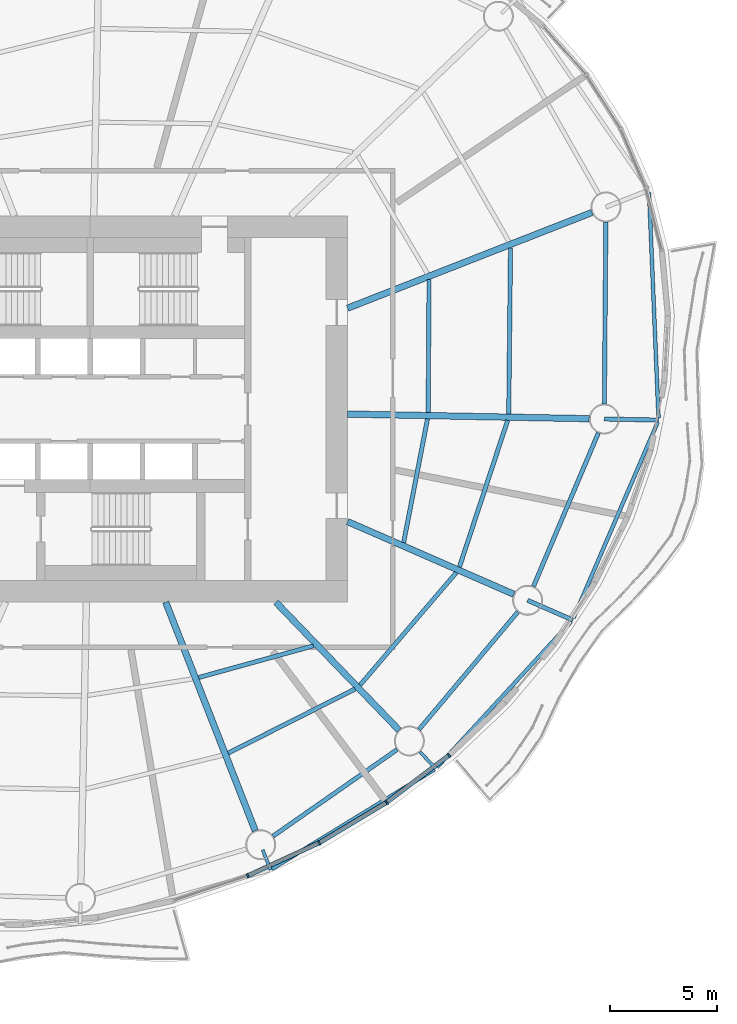
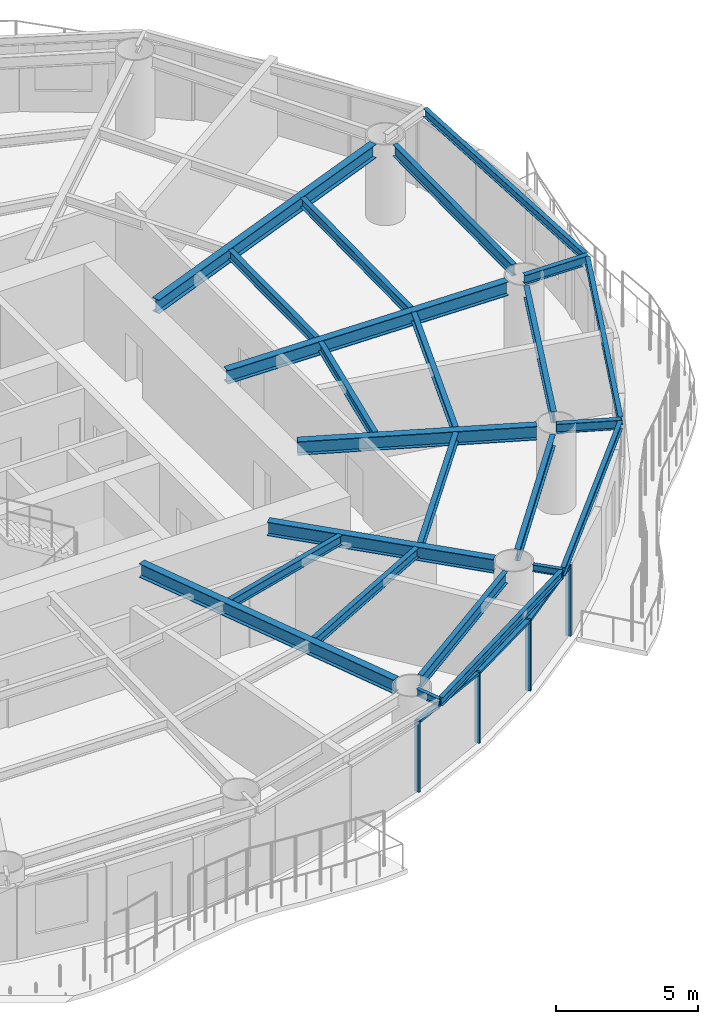
# One storey, part 4 of 16: 24 beams, 7 members, 3 elements without a shape of their own.
"""IFC4 building model written with IfcOpenShell, lengths in metres."""

from ifc_helpers import new_model, si_unit, direction, frame, origin, origin_2d, place, context, subcontext, project, spatial, rectangle, i_section, extrude, material, material_profile, profile_set, type_object, element, aggregate, save


model = new_model("IFC4")

# Units and contexts
model_context = context("Model", 3, precision=1e-05, world=origin(), true_north=direction((0.0, 1.0)))
body_context = subcontext(model_context, "Body", "Model", "MODEL_VIEW")
ifc_project = project(units=[si_unit("LENGTHUNIT", "METRE"), si_unit("AREAUNIT", "SQUARE_METRE"), si_unit("VOLUMEUNIT", "CUBIC_METRE"), si_unit("PLANEANGLEUNIT", "RADIAN"), si_unit("MASSUNIT", "GRAM", prefix="KILO")], contexts=[model_context])

# Site, building, storey
site_placement = place(None, origin())
site = spatial("IfcSite", under=ifc_project, at=site_placement, CompositionType="ELEMENT")
building_placement = place(site_placement, origin())
building = spatial("IfcBuilding", under=site, at=building_placement, Name="Vermilion Reach Broadcast Tower", CompositionType="ELEMENT")
storey_placement = place(building_placement, frame((0.0, 0.0, 147.0)))
storey = spatial("IfcBuildingStorey", under=building, at=storey_placement, Name="L34", CompositionType="ELEMENT", Elevation=147.0)

# Beams
ifc_material_1 = material(Name="Steel S355J2", Category="steel")
ifc_material_profile_1 = material_profile(ifc_material_1, i_section(OverallWidth=0.175048828125, OverallDepth=0.35009765625, WebThickness=0.007080078125, FlangeThickness=0.010986328125, at=origin_2d()), Name="S355J2 HN 350x175x7x11")
ifc_profile_set_1 = profile_set([ifc_material_profile_1], Name="Steel S355J2")
beam_type_1 = type_object("IfcBeamType", Name="EB3 HN 350x175x7x11", PredefinedType="BEAM", material=ifc_profile_set_1)
beam_1_placement = place(storey_placement, frame((2.47509765625, -21.431640625, 3.27490234375), z_axis=(0.852668400848, 0.522452484151, 0.0), x_axis=(-0.522452484151, 0.852668400848, 0.0)))
element("IfcBeam", 1, at=beam_1_placement, inside=storey, type_object=beam_type_1, Name="Edge beam EB3-12", PredefinedType="BEAM", context=body_context, shape_type="SweptSolid", body=[
    extrude(i_section(OverallWidth=0.175048828125, OverallDepth=0.35009765625, WebThickness=0.007080078125, FlangeThickness=0.010986328125, at=origin_2d()), origin(), (0.0, 0.0, 1.0), 8.88232421875),
])
beam_2_placement = place(storey_placement, frame((10.1650390625, -16.69580078125, 3.27490234375), z_axis=(0.677183765071, 0.73581393594, 0.0), x_axis=(-0.73581393594, 0.677183765071, 0.0)))
element("IfcBeam", 2, at=beam_2_placement, inside=storey, type_object=beam_type_1, Name="Edge beam EB3-13", PredefinedType="BEAM", context=body_context, shape_type="SweptSolid", body=[
    extrude(i_section(OverallWidth=0.175048828125, OverallDepth=0.35009765625, WebThickness=0.007080078125, FlangeThickness=0.010986328125, at=origin_2d()), origin(), (0.0, 0.0, 1.0), 9.2275390625),
])
beam_3_placement = place(storey_placement, frame((16.52490234375, -9.736328125, 3.27490234375), z_axis=(0.395161967212, 0.918611462844, 0.0), x_axis=(-0.918611462844, 0.395161967212, 0.0)))
element("IfcBeam", 3, at=beam_3_placement, inside=storey, type_object=beam_type_1, Name="Edge beam EB3-14", PredefinedType="BEAM", context=body_context, shape_type="SweptSolid", body=[
    extrude(i_section(OverallWidth=0.175048828125, OverallDepth=0.35009765625, WebThickness=0.007080078125, FlangeThickness=0.010986328125, at=origin_2d()), origin(), (0.0, 0.0, 1.0), 9.93212890625),
])
beam_4_placement = place(storey_placement, frame((20.48828125, -0.4130859375, 3.27490234375), z_axis=(-0.041922129809, 0.999120881091, 0.0), x_axis=(-0.999120881091, -0.041922129809, 0.0)))
element("IfcBeam", 4, at=beam_4_placement, inside=storey, type_object=beam_type_1, Name="Edge beam EB3-15", PredefinedType="BEAM", context=body_context, shape_type="SweptSolid", body=[
    extrude(i_section(OverallWidth=0.175048828125, OverallDepth=0.35009765625, WebThickness=0.007080078125, FlangeThickness=0.010986328125, at=origin_2d()), origin(), (0.0, 0.0, 1.0), 10.517578125),
])
ifc_material_2 = material(Name="Steel S355J2", Category="steel")
ifc_material_profile_2 = material_profile(ifc_material_2, i_section(OverallWidth=0.300048828125, OverallDepth=0.587890625, WebThickness=0.011962890625, FlangeThickness=0.02001953125, at=origin_2d()), Name="S355J2 HM 588x300x12x20")
ifc_profile_set_2 = profile_set([ifc_material_profile_2], Name="Steel S355J2")
beam_type_2 = type_object("IfcBeamType", Name="G3 HM 588x300x12x20", PredefinedType="BEAM", material=ifc_profile_set_2)
beam_5_placement = place(storey_placement, frame((-2.474853515625, -9.0, 3.156005859375), z_axis=(0.364715649973, -0.931118947646, 0.0), x_axis=(0.931118947646, 0.364715649973, 0.0)))
element("IfcBeam", 5, at=beam_5_placement, inside=storey, type_object=beam_type_2, Name="Girder G3-12", PredefinedType="BEAM", context=body_context, shape_type="SweptSolid", body=[
    extrude(i_section(OverallWidth=0.300048828125, OverallDepth=0.587890625, WebThickness=0.011962890625, FlangeThickness=0.02001953125, at=origin_2d()), origin(), (0.0, 0.0, 1.0), 11.436767578125),
])
beam_6_placement = place(storey_placement, frame((2.657958984375, -9.0, 3.156005859375), z_axis=(0.693282657492, -0.72066577331, 0.0), x_axis=(0.72066577331, 0.693282657492, 0.0)))
element("IfcBeam", 6, at=beam_6_placement, inside=storey, type_object=beam_type_2, Name="Girder G3-13", PredefinedType="BEAM", context=body_context, shape_type="SweptSolid", body=[
    extrude(i_section(OverallWidth=0.300048828125, OverallDepth=0.587890625, WebThickness=0.011962890625, FlangeThickness=0.02001953125, at=origin_2d()), origin(), (0.0, 0.0, 1.0), 8.273681640625),
])
beam_7_placement = place(storey_placement, frame((6.0, -5.2451171875, 3.156005859375), z_axis=(0.916287847036, -0.400520388213, 0.0), x_axis=(0.400520388213, 0.916287847036, 0.0)))
element("IfcBeam", 7, at=beam_7_placement, inside=storey, type_object=beam_type_2, Name="Girder G3-14", PredefinedType="BEAM", context=body_context, shape_type="SweptSolid", body=[
    extrude(i_section(OverallWidth=0.300048828125, OverallDepth=0.587890625, WebThickness=0.011962890625, FlangeThickness=0.02001953125, at=origin_2d()), origin(), (0.0, 0.0, 1.0), 8.45458984375),
])
beam_8_placement = place(storey_placement, frame((6.0, -0.232421875, 3.156005859375), z_axis=(0.999812170888, -0.019380994401, 0.0), x_axis=(0.019380994401, 0.999812170888, 0.0)))
element("IfcBeam", 8, at=beam_8_placement, inside=storey, type_object=beam_type_2, Name="Girder G3-15", PredefinedType="BEAM", context=body_context, shape_type="SweptSolid", body=[
    extrude(i_section(OverallWidth=0.300048828125, OverallDepth=0.587890625, WebThickness=0.011962890625, FlangeThickness=0.02001953125, at=origin_2d()), origin(), (0.0, 0.0, 1.0), 11.26171875),
])
beam_9_placement = place(storey_placement, frame((6.0, 4.700439453125, 3.156005859375), z_axis=(0.931124635714, 0.364701128004, 0.0), x_axis=(-0.364701128004, 0.931124635714, 0.0)))
element("IfcBeam", 9, at=beam_9_placement, inside=storey, type_object=beam_type_2, Name="Girder G3-16", PredefinedType="BEAM", context=body_context, shape_type="SweptSolid", body=[
    extrude(i_section(OverallWidth=0.300048828125, OverallDepth=0.587890625, WebThickness=0.011962890625, FlangeThickness=0.02001953125, at=origin_2d()), origin(), (0.0, 0.0, 1.0), 12.231201171875),
])
ifc_material_3 = material(Name="Steel S355J2", Category="steel")
ifc_material_profile_3 = material_profile(ifc_material_3, i_section(OverallWidth=0.199951171875, OverallDepth=0.39990234375, WebThickness=0.008056640625, FlangeThickness=0.012939453125, at=origin_2d()), Name="S355J2 HN 400x200x8x13")
ifc_profile_set_3 = profile_set([ifc_material_profile_3], Name="Steel S355J2")
beam_type_3 = type_object("IfcBeamType", Name="GC3 HN 400x200x8x13", PredefinedType="BEAM", material=ifc_profile_set_3)
beam_10_placement = place(storey_placement, frame((14.38818359375, -8.91162109375, 3.25), z_axis=(0.916279698293, -0.400539029929, 0.0), x_axis=(0.400539029929, 0.916279698293, 0.0)))
element("IfcBeam", 10, at=beam_10_placement, inside=storey, type_object=beam_type_3, Name="Cantilever girder GC3-14", PredefinedType="BEAM", context=body_context, shape_type="SweptSolid", body=[
    extrude(i_section(OverallWidth=0.199951171875, OverallDepth=0.39990234375, WebThickness=0.008056640625, FlangeThickness=0.012939453125, at=origin_2d()), origin(), (0.0, 0.0, 1.0), 2.288818359375),
])
beam_11_placement = place(storey_placement, frame((17.95947265625, -0.464111328125, 3.25), z_axis=(0.999810515766, -0.019466190283, 0.0), x_axis=(0.019466190283, 0.999810515766, 0.0)))
element("IfcBeam", 11, at=beam_11_placement, inside=storey, type_object=beam_type_3, Name="Cantilever girder GC3-15", PredefinedType="BEAM", context=body_context, shape_type="SweptSolid", body=[
    extrude(i_section(OverallWidth=0.199951171875, OverallDepth=0.39990234375, WebThickness=0.008056640625, FlangeThickness=0.012939453125, at=origin_2d()), origin(), (0.0, 0.0, 1.0), 2.533447265625),
])
ifc_material_4 = material(Name="Steel S355J2", Category="steel")
ifc_material_profile_4 = material_profile(ifc_material_4, i_section(OverallWidth=0.14990234375, OverallDepth=0.300048828125, WebThickness=0.006591796875, FlangeThickness=0.009033203125, at=origin_2d()), Name="S355J2 HN 300x150x6.5x9")
ifc_profile_set_4 = profile_set([ifc_material_profile_4], Name="Steel S355J2")
beam_type_4 = type_object("IfcBeamType", Name="GS3 HN 300x150x6.5x9", PredefinedType="BEAM", material=ifc_profile_set_4)
beam_12_placement = place(storey_placement, frame((2.045654296875, -20.540283203125, 3.300048828125), z_axis=(0.364519020104, -0.931195942851, 0.0), x_axis=(0.931195942851, 0.364519020104, 0.0)))
element("IfcBeam", 12, at=beam_12_placement, inside=storey, type_object=beam_type_4, Name="Cantilever stub GS3-12", PredefinedType="BEAM", context=body_context, shape_type="SweptSolid", body=[
    extrude(i_section(OverallWidth=0.14990234375, OverallDepth=0.300048828125, WebThickness=0.006591796875, FlangeThickness=0.009033203125, at=origin_2d()), origin(), (0.0, 0.0, 1.0), 1.0),
])
beam_13_placement = place(storey_placement, frame((9.364501953125, -15.9716796875, 3.300048828125), z_axis=(0.693316229254, -0.720633475668, 0.0), x_axis=(0.720633475668, 0.693316229254, 0.0)))
element("IfcBeam", 13, at=beam_13_placement, inside=storey, type_object=beam_type_4, Name="Cantilever stub GS3-13", PredefinedType="BEAM", context=body_context, shape_type="SweptSolid", body=[
    extrude(i_section(OverallWidth=0.14990234375, OverallDepth=0.300048828125, WebThickness=0.006591796875, FlangeThickness=0.009033203125, at=origin_2d()), origin(), (0.0, 0.0, 1.0), 1.081298828125),
])
ifc_material_5 = material(Name="Steel S355J2", Category="steel")
ifc_material_profile_5 = material_profile(ifc_material_5, i_section(OverallWidth=0.199951171875, OverallDepth=0.5, WebThickness=0.010009765625, FlangeThickness=0.01611328125, at=origin_2d()), Name="S355J2 HN 500x200x10x16")
ifc_profile_set_5 = profile_set([ifc_material_profile_5], Name="Steel S355J2")
beam_type_5 = type_object("IfcBeamType", Name="RB3 HN 500x200x10x16", PredefinedType="BEAM", material=ifc_profile_set_5)
beam_14_placement = place(storey_placement, frame((2.525634765625, -19.900146484375, 3.199951171875), z_axis=(0.820111453349, 0.572203813415, 0.0), x_axis=(-0.572203813415, 0.820111453349, 0.0)))
element("IfcBeam", 14, at=beam_14_placement, inside=storey, type_object=beam_type_5, Name="Ring beam RB3-12", PredefinedType="BEAM", context=body_context, shape_type="SweptSolid", body=[
    extrude(i_section(OverallWidth=0.199951171875, OverallDepth=0.5, WebThickness=0.010009765625, FlangeThickness=0.01611328125, at=origin_2d()), origin(), (0.0, 0.0, 1.0), 7.04736328125),
])
beam_15_placement = place(storey_placement, frame((9.32958984375, -14.931396484375, 3.199951171875), z_axis=(0.643350337931, 0.765571905626, 0.0), x_axis=(-0.765571905626, 0.643350337931, 0.0)))
element("IfcBeam", 15, at=beam_15_placement, inside=storey, type_object=beam_type_5, Name="Ring beam RB3-13", PredefinedType="BEAM", context=body_context, shape_type="SweptSolid", body=[
    extrude(i_section(OverallWidth=0.199951171875, OverallDepth=0.5, WebThickness=0.010009765625, FlangeThickness=0.01611328125, at=origin_2d()), origin(), (0.0, 0.0, 1.0), 7.1630859375),
])
beam_16_placement = place(storey_placement, frame((14.660888671875, -8.266845703125, 3.199951171875), z_axis=(0.389368386196, 0.921082113512, 0.0), x_axis=(-0.921082113512, 0.389368386196, 0.0)))
element("IfcBeam", 16, at=beam_16_placement, inside=storey, type_object=beam_type_5, Name="Ring beam RB3-14", PredefinedType="BEAM", context=body_context, shape_type="SweptSolid", body=[
    extrude(i_section(OverallWidth=0.199951171875, OverallDepth=0.5, WebThickness=0.010009765625, FlangeThickness=0.01611328125, at=origin_2d()), origin(), (0.0, 0.0, 1.0), 7.771240234375),
])
beam_17_placement = place(storey_placement, frame((17.965087890625, 0.23583984375, 3.199951171875), z_axis=(0.008204232036, 0.999966344722, 0.0), x_axis=(-0.999966344722, 0.008204232036, 0.0)))
element("IfcBeam", 17, at=beam_17_placement, inside=storey, type_object=beam_type_5, Name="Ring beam RB3-15", PredefinedType="BEAM", context=body_context, shape_type="SweptSolid", body=[
    extrude(i_section(OverallWidth=0.199951171875, OverallDepth=0.5, WebThickness=0.010009765625, FlangeThickness=0.01611328125, at=origin_2d()), origin(), (0.0, 0.0, 1.0), 8.48095703125),
])
ifc_material_6 = material(Name="Steel S355J2", Category="steel")
ifc_material_profile_6 = material_profile(ifc_material_6, i_section(OverallWidth=0.199951171875, OverallDepth=0.39990234375, WebThickness=0.008056640625, FlangeThickness=0.012939453125, at=origin_2d()), Name="S355J2 HN 400x200x8x13")
ifc_profile_set_6 = profile_set([ifc_material_profile_6], Name="Steel S355J2")
beam_type_6 = type_object("IfcBeamType", Name="SB3 HN 400x200x8x13", PredefinedType="BEAM", material=ifc_profile_set_6)
beam_18_placement = place(storey_placement, frame((-0.93896484375, -12.509521484375, 3.25), z_axis=(0.963889790258, 0.266301468708, 0.0), x_axis=(-0.266301468708, 0.963889790258, 0.0)))
element("IfcBeam", 18, at=beam_18_placement, inside=storey, type_object=beam_type_6, Name="Secondary beam SB3-12-1", PredefinedType="BEAM", context=body_context, shape_type="SweptSolid", body=[
    extrude(i_section(OverallWidth=0.199951171875, OverallDepth=0.39990234375, WebThickness=0.008056640625, FlangeThickness=0.012939453125, at=origin_2d()), origin(), (0.0, 0.0, 1.0), 5.544677734375),
])
beam_19_placement = place(storey_placement, frame((0.4404296875, -16.03125, 3.25), z_axis=(0.892320561657, 0.451402276516, 0.0), x_axis=(-0.451402276516, 0.892320561657, 0.0)))
element("IfcBeam", 19, at=beam_19_placement, inside=storey, type_object=beam_type_6, Name="Secondary beam SB3-12-2", PredefinedType="BEAM", context=body_context, shape_type="SweptSolid", body=[
    extrude(i_section(OverallWidth=0.199951171875, OverallDepth=0.39990234375, WebThickness=0.008056640625, FlangeThickness=0.012939453125, at=origin_2d()), origin(), (0.0, 0.0, 1.0), 6.613525390625),
])
beam_20_placement = place(storey_placement, frame((6.579833984375, -12.860595703125, 3.25), z_axis=(0.650167134505, 0.759791219487, 0.0), x_axis=(-0.759791219487, 0.650167134505, 0.0)))
element("IfcBeam", 20, at=beam_20_placement, inside=storey, type_object=beam_type_6, Name="Secondary beam SB3-13-2", PredefinedType="BEAM", context=body_context, shape_type="SweptSolid", body=[
    extrude(i_section(OverallWidth=0.199951171875, OverallDepth=0.39990234375, WebThickness=0.008056640625, FlangeThickness=0.012939453125, at=origin_2d()), origin(), (0.0, 0.0, 1.0), 6.89501953125),
])
beam_21_placement = place(storey_placement, frame((8.611328125, -6.222900390625, 3.25), z_axis=(0.189462365782, 0.981887983404, 0.0), x_axis=(-0.981887983404, 0.189462365782, 0.0)))
element("IfcBeam", 21, at=beam_21_placement, inside=storey, type_object=beam_type_6, Name="Secondary beam SB3-14-1", PredefinedType="BEAM", context=body_context, shape_type="SweptSolid", body=[
    extrude(i_section(OverallWidth=0.199951171875, OverallDepth=0.39990234375, WebThickness=0.008056640625, FlangeThickness=0.012939453125, at=origin_2d()), origin(), (0.0, 0.0, 1.0), 5.874755859375),
])
beam_22_placement = place(storey_placement, frame((11.211669921875, -7.359375, 3.25), z_axis=(0.312243016281, 0.950002262515, 0.0), x_axis=(-0.950002262515, 0.312243016281, 0.0)))
element("IfcBeam", 22, at=beam_22_placement, inside=storey, type_object=beam_type_6, Name="Secondary beam SB3-14-2", PredefinedType="BEAM", context=body_context, shape_type="SweptSolid", body=[
    extrude(i_section(OverallWidth=0.199951171875, OverallDepth=0.39990234375, WebThickness=0.008056640625, FlangeThickness=0.012939453125, at=origin_2d()), origin(), (0.0, 0.0, 1.0), 7.19189453125),
])
beam_23_placement = place(storey_placement, frame((9.754150390625, -0.1552734375, 3.25), z_axis=(0.006635449147, 0.999977985165, 0.0), x_axis=(-0.999977985165, 0.006635449147, 0.0)))
element("IfcBeam", 23, at=beam_23_placement, inside=storey, type_object=beam_type_6, Name="Secondary beam SB3-15-1", PredefinedType="BEAM", context=body_context, shape_type="SweptSolid", body=[
    extrude(i_section(OverallWidth=0.199951171875, OverallDepth=0.39990234375, WebThickness=0.008056640625, FlangeThickness=0.012939453125, at=origin_2d()), origin(), (0.0, 0.0, 1.0), 6.181396484375),
])
beam_24_placement = place(storey_placement, frame((13.508056640625, -0.22802734375, 3.25), z_axis=(0.010691708672, 0.999942842049, 0.0), x_axis=(-0.999942842049, 0.010691708672, 0.0)))
element("IfcBeam", 24, at=beam_24_placement, inside=storey, type_object=beam_type_6, Name="Secondary beam SB3-15-2", PredefinedType="BEAM", context=body_context, shape_type="SweptSolid", body=[
    extrude(i_section(OverallWidth=0.199951171875, OverallDepth=0.39990234375, WebThickness=0.008056640625, FlangeThickness=0.012939453125, at=origin_2d()), origin(), (0.0, 0.0, 1.0), 7.740966796875),
])

# Curtain wall, member
ifc_material_7 = material(Name="Low-e laminated clear glass in aluminium frame", Category="aluminium")
curtain_wall_type = type_object("IfcCurtainWallType", Name="Slot curtain wall", PredefinedType="NOTDEFINED", material=ifc_material_7)
placement = place(storey_placement, origin())
curtain_wall_1 = element("IfcCurtainWall", 25, at=placement, inside=storey, type_object=curtain_wall_type, Name="Slot curtain wall L34 35", PredefinedType="NOTDEFINED")
ifc_material_8 = material(Name="Anodised aluminium", Category="aluminium")
ifc_material_profile_7 = material_profile(ifc_material_8, rectangle(XDim=0.199951171875, YDim=0.080078125, at=origin_2d()), Name="Slot mullion 80 x 200")
ifc_profile_set_7 = profile_set([ifc_material_profile_7], Name="Anodised aluminium")
member_type_1 = type_object("IfcMemberType", Name="Slot mullion 80 x 200", PredefinedType="MULLION", material=ifc_profile_set_7)
member_1_placement = place(storey_placement, frame((1.349609375, -21.745849609375, 0.0), z_axis=(0.0, 0.0, 1.0), x_axis=(-0.36932623675, 0.929299806762, 0.0)))
member_1 = element("IfcMember", 26, at=member_1_placement, type_object=member_type_1, Name="Slot mullion L34 35", PredefinedType="MULLION", context=body_context, shape_type="SweptSolid", body=[
    extrude(rectangle(XDim=0.199951171875, YDim=0.080078125, at=origin_2d()), origin(), (0.0, 0.0, 1.0), 3.050048828125),
])

curtain_wall_2 = element("IfcCurtainWall", 27, at=placement, inside=storey, type_object=curtain_wall_type, Name="Slot curtain wall L34 36", PredefinedType="NOTDEFINED")
member_2_placement = place(storey_placement, frame((4.674560546875, -20.2119140625, 0.0), z_axis=(0.0, 0.0, 1.0), x_axis=(-0.467004087106, 0.884255156969, 0.0)))
member_2 = element("IfcMember", 28, at=member_2_placement, type_object=member_type_1, Name="Slot mullion L34 36", PredefinedType="MULLION", context=body_context, shape_type="SweptSolid", body=[
    extrude(rectangle(XDim=0.199951171875, YDim=0.080078125, at=origin_2d()), origin(), (0.0, 0.0, 1.0), 3.050048828125),
])

# Curtain wall, members
curtain_wall_3 = element("IfcCurtainWall", 29, at=placement, inside=storey, type_object=curtain_wall_type, Name="Slot curtain wall L34 37", PredefinedType="NOTDEFINED")
member_3_placement = place(storey_placement, frame((7.816162109375, -18.33056640625, 0.0), z_axis=(0.0, 0.0, 1.0), x_axis=(-0.559278728042, 0.828979676687, 0.0)))
member_3 = element("IfcMember", 30, at=member_3_placement, type_object=member_type_1, Name="Slot mullion L34 37", PredefinedType="MULLION", context=body_context, shape_type="SweptSolid", body=[
    extrude(rectangle(XDim=0.199951171875, YDim=0.080078125, at=origin_2d()), origin(), (0.0, 0.0, 1.0), 3.050048828125),
])
member_4_placement = place(storey_placement, frame((10.719970703125, -16.134521484375, 0.0), z_axis=(0.0, 0.0, 1.0), x_axis=(-0.646004018302, 0.763334008373, 0.0)))
member_4 = element("IfcMember", 31, at=member_4_placement, type_object=member_type_1, Name="Slot mullion L34 38", PredefinedType="MULLION", context=body_context, shape_type="SweptSolid", body=[
    extrude(rectangle(XDim=0.199951171875, YDim=0.080078125, at=origin_2d()), origin(), (0.0, 0.0, 1.0), 3.050048828125),
])

# Member
ifc_material_9 = material(Name="Anodised aluminium", Category="aluminium")
ifc_material_profile_8 = material_profile(ifc_material_9, rectangle(XDim=0.199951171875, YDim=0.10009765625, at=origin_2d()), Name="Slot transom 200 x 100")
ifc_profile_set_8 = profile_set([ifc_material_profile_8], Name="Anodised aluminium")
member_type_2 = type_object("IfcMemberType", Name="Slot transom 200 x 100", PredefinedType="USERDEFINED", material=ifc_profile_set_8)
member_5_placement = place(storey_placement, frame((1.385986328125, -21.72900390625, 3.0), z_axis=(0.908015237822, 0.418937140729, 0.0), x_axis=(-0.418937140729, 0.908015237822, 0.0)))
member_5 = element("IfcMember", 32, at=member_5_placement, type_object=member_type_2, Name="Slot transom L34 35.1", ObjectType="TRANSOM", PredefinedType="USERDEFINED", context=body_context, shape_type="SweptSolid", body=[
    extrude(rectangle(XDim=0.199951171875, YDim=0.10009765625, at=origin_2d()), origin(), (0.0, 0.0, 1.0), 3.58154296875),
])

aggregate(curtain_wall_1, [member_1, member_5])

member_6_placement = place(storey_placement, frame((4.708740234375, -20.19140625, 3.0), z_axis=(0.857919627627, 0.513783916187, 0.0), x_axis=(-0.513783916187, 0.857919627627, 0.0)))
member_6 = element("IfcMember", 33, at=member_6_placement, type_object=member_type_2, Name="Slot transom L34 36.1", ObjectType="TRANSOM", PredefinedType="USERDEFINED", context=body_context, shape_type="SweptSolid", body=[
    extrude(rectangle(XDim=0.199951171875, YDim=0.10009765625, at=origin_2d()), origin(), (0.0, 0.0, 1.0), 3.58203125),
])

aggregate(curtain_wall_2, [member_2, member_6])

member_7_placement = place(storey_placement, frame((7.847900390625, -18.306396484375, 3.0), z_axis=(0.79764082821, 0.603132745897, 0.0), x_axis=(-0.603132745897, 0.79764082821, 0.0)))
member_7 = element("IfcMember", 34, at=member_7_placement, type_object=member_type_2, Name="Slot transom L34 37.1", ObjectType="TRANSOM", PredefinedType="USERDEFINED", context=body_context, shape_type="SweptSolid", body=[
    extrude(rectangle(XDim=0.199951171875, YDim=0.10009765625, at=origin_2d()), origin(), (0.0, 0.0, 1.0), 3.56103515625),
])

aggregate(curtain_wall_3, [member_3, member_4, member_7])

save(model, "model.ifc")
